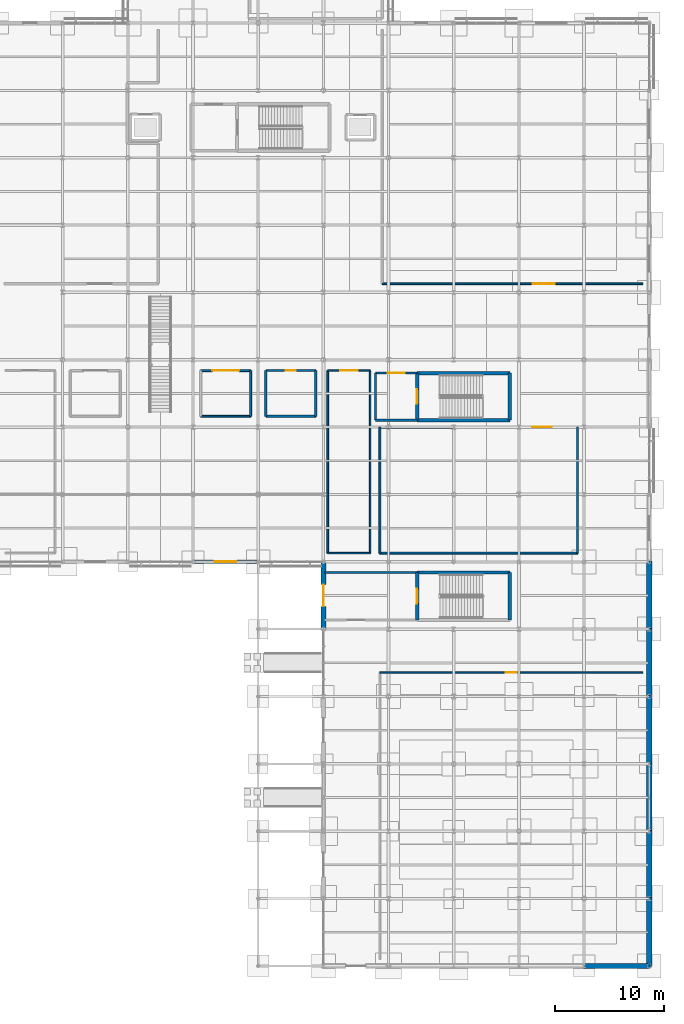
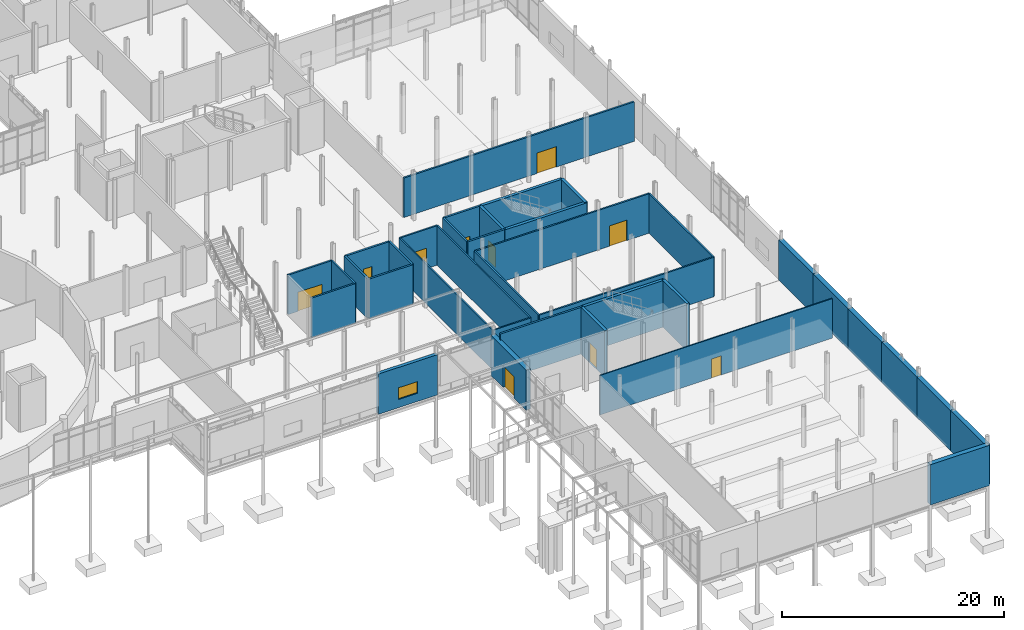
# One storey, part 73 of 98: 37 walls, 10 doors, 1 window, 11 openings.
"""IFC4 building model written with IfcOpenShell, lengths in metres."""

import ifcopenshell
import ifcopenshell.guid

model = None  # the IFC model being written
_history = None  # IfcOwnerHistory: only IFC2X3 demands one
_inside = {}  # id of a spatial element -> (the spatial element, [elements in it])
_under = {}  # id of a project, library or spatial element -> (it, [spatial elements below it])
_declared = {}  # id of a project -> (the project, [libraries it declares])
_typed = {}  # id of a type object -> (the type object, [elements of that type])
_made_of = {}  # id of a material, layer set ... -> (it, [elements and type objects made of it])


def new_model(schema):
    """Start an empty IFC model of exactly this schema.

    Asked for "IFC4X3", IfcOpenShell would pick the latest addendum, in which some entities
    have other attributes; the version numbers below select the first issue.
    IFC2X3 requires an IfcOwnerHistory on every rooted entity: one is made here for all.
    """
    global model, _history
    if schema == "IFC4X3":
        model = ifcopenshell.file(schema_version=(4, 3, 0, 0))
    else:
        model = ifcopenshell.file(schema=schema)
    _inside.clear()
    _under.clear()
    _declared.clear()
    _typed.clear()
    _made_of.clear()
    _history = None
    if model.schema == "IFC2X3":
        org = make("IfcOrganization", Name="unknown")
        user = make(
            "IfcPersonAndOrganization",
            ThePerson=make("IfcPerson", FamilyName="unknown"),
            TheOrganization=org,
        )
        app = make(
            "IfcApplication",
            ApplicationDeveloper=org,
            Version="unknown",
            ApplicationFullName="unknown",
            ApplicationIdentifier="unknown",
        )
        _history = make(
            "IfcOwnerHistory",
            OwningUser=user,
            OwningApplication=app,
            ChangeAction="ADDED",
            CreationDate=0,
        )
    return model


def make(cls, **values):
    """One entity of the class cls with the attributes given. An attribute that is None is left unset."""
    return model.create_entity(
        cls, **{name: value for name, value in values.items() if value is not None}
    )


def rooted(cls, **values):
    """An entity with a GlobalId (a new one), such as an element, a storey or a relation."""
    return make(cls, GlobalId=ifcopenshell.guid.new(), OwnerHistory=_history, **values)


def si_unit(unit_type, name, prefix=None):
    """IfcSIUnit, for example si_unit("LENGTHUNIT", "METRE", prefix="MILLI")."""
    return make("IfcSIUnit", UnitType=unit_type, Prefix=prefix, Name=name)


def assignment(units):
    """IfcUnitAssignment: the units of a project."""
    return None if units is None else make("IfcUnitAssignment", Units=units)


def point(xyz):
    """IfcCartesianPoint."""
    return None if xyz is None else make("IfcCartesianPoint", Coordinates=xyz)


def direction(xyz):
    """IfcDirection."""
    return None if xyz is None else make("IfcDirection", DirectionRatios=xyz)


def frame(location, z_axis=None, x_axis=None):
    """IfcAxis2Placement3D, a coordinate frame: its origin and axes. An axis left out is left unset."""
    return make(
        "IfcAxis2Placement3D",
        Location=point(location),
        Axis=direction(z_axis),
        RefDirection=direction(x_axis),
    )


def frame_2d(location, x_axis=None):
    """IfcAxis2Placement2D, a coordinate frame in the plane: its origin and x axis."""
    return make(
        "IfcAxis2Placement2D", Location=point(location), RefDirection=direction(x_axis)
    )


def origin():
    """The frame at (0, 0, 0) with its axes left unset."""
    return frame((0.0, 0.0, 0.0))


def place(relative_to, where):
    """IfcLocalPlacement: puts the frame where relative to a parent placement (None: the world)."""
    return make(
        "IfcLocalPlacement", PlacementRelTo=relative_to, RelativePlacement=where
    )


def context(
    kind, dimensions, precision=None, world=None, true_north=None, identifier=None
):
    """IfcGeometricRepresentationContext, for example the 3D "Model" context."""
    return make(
        "IfcGeometricRepresentationContext",
        ContextIdentifier=identifier,
        ContextType=kind,
        CoordinateSpaceDimension=dimensions,
        Precision=precision,
        WorldCoordinateSystem=world,
        TrueNorth=true_north,
    )


def subcontext(parent, identifier, kind, view, scale=None):
    """IfcGeometricRepresentationSubContext, for example "Body" below "Model"."""
    return make(
        "IfcGeometricRepresentationSubContext",
        ContextIdentifier=identifier,
        ContextType=kind,
        ParentContext=parent,
        TargetScale=scale,
        TargetView=view,
    )


def project(units=None, contexts=None):
    """IfcProject with its units and contexts."""
    return rooted(
        "IfcProject",
        Name="project",
        RepresentationContexts=contexts,
        UnitsInContext=assignment(units),
    )


def spatial(cls, under=None, at=None, **own):
    """A site, building, storey or space (cls), placed at a placement, below another one or the project."""
    s = rooted(cls, ObjectPlacement=at, **own)
    if under is not None:
        _under.setdefault(under.id(), (under, []))[1].append(s)
    return s


def profile(cls, at=None, kind="AREA", **sizes):
    """A parametric profile (cls). Its sizes go by their IFC names, for example OverallWidth=200.0."""
    return make(cls, ProfileType=kind, Position=at, **sizes)


def rectangle(**sizes):
    """IfcRectangleProfileDef."""
    return profile("IfcRectangleProfileDef", **sizes)


def extrude(swept, where, along, depth):
    """IfcExtrudedAreaSolid: the profile swept, set in the frame where, extruded along a direction by depth."""
    return make(
        "IfcExtrudedAreaSolid",
        SweptArea=swept,
        Position=where,
        ExtrudedDirection=direction(along),
        Depth=depth,
    )


def shape(context_of_items, identifier, shape_type, items):
    """IfcShapeRepresentation: the items that make up one representation, for example the "Body"."""
    return make(
        "IfcShapeRepresentation",
        ContextOfItems=context_of_items,
        RepresentationIdentifier=identifier,
        RepresentationType=shape_type,
        Items=items,
    )


def material(Name=None, Category=None):
    """IfcMaterial."""
    return make("IfcMaterial", Name=Name, Category=Category)


def layer(
    of_material, thickness, ventilated=None, Name=None, Category=None, Priority=None
):
    """IfcMaterialLayer: one layer of a wall or slab, of a material (None: an air gap)."""
    return make(
        "IfcMaterialLayer",
        Material=of_material,
        LayerThickness=thickness,
        IsVentilated=ventilated,
        Name=Name,
        Category=Category,
        Priority=Priority,
    )


def layer_set(layers, Name=None):
    """IfcMaterialLayerSet."""
    return make("IfcMaterialLayerSet", MaterialLayers=layers, LayerSetName=Name)


def made_of(thing, what):
    """Note that an element or type object is made of a material, layer set ...; save() writes the relation."""
    if what is not None:
        _made_of.setdefault(what.id(), (what, []))[1].append(thing)
    return thing


def type_object(cls, material=None, **own):
    """A type object (cls), such as IfcWallType, which elements share."""
    return made_of(rooted(cls, **own), material)


def element(
    cls,
    number,
    at=None,
    inside=None,
    cuts=None,
    type_object=None,
    material=None,
    context=None,
    identifier="Body",
    shape_type=None,
    held_by="IfcProductDefinitionShape",
    body=None,
    shapes=None,
    **own,
):
    """One element of the class cls, such as IfcWall. Its Tag is "e" and its number.

    at: its placement. inside: the storey or other place that contains it. cuts: it is an
    opening in that element (IfcRelVoidsElement). A single representation is given by context,
    identifier, shape_type and body (its items); several are given by shapes. held_by: the class
    of the entity that holds the representations. save() writes the other relations.
    """
    e = rooted(cls, Tag="e%d" % number, ObjectPlacement=at, **own)
    if body is not None:
        shapes = [shape(context, identifier, shape_type, body)]
    if shapes is not None:
        e.Representation = make(held_by, Representations=shapes)
    if inside is not None:
        _inside.setdefault(inside.id(), (inside, []))[1].append(e)
    if cuts is not None:
        rooted(
            "IfcRelVoidsElement", RelatingBuildingElement=cuts, RelatedOpeningElement=e
        )
    if type_object is not None:
        _typed.setdefault(type_object.id(), (type_object, []))[1].append(e)
    return made_of(e, material)


def fill(opening, filler):
    """IfcRelFillsElement: the door or window that sits in an opening."""
    return rooted(
        "IfcRelFillsElement",
        RelatingOpeningElement=opening,
        RelatedBuildingElement=filler,
    )


def aggregate(whole, parts):
    """IfcRelAggregates: a whole, such as a stair, and the parts it consists of."""
    return rooted("IfcRelAggregates", RelatingObject=whole, RelatedObjects=parts)


def save(model, path):
    """Write the relations noted so far, then the file.

    IfcRelAggregates (storeys below a building ...), IfcRelContainedInSpatialStructure (elements
    in a storey), IfcRelDefinesByType, IfcRelAssociatesMaterial and IfcRelDeclares: one each for
    every whole, place, type object, material and project.
    """
    for whole, parts in _under.values():
        aggregate(whole, parts)
    for where, things in _inside.values():
        rooted(
            "IfcRelContainedInSpatialStructure",
            RelatedElements=things,
            RelatingStructure=where,
        )
    for kind, things in _typed.values():
        rooted("IfcRelDefinesByType", RelatedObjects=things, RelatingType=kind)
    for what, things in _made_of.values():
        rooted("IfcRelAssociatesMaterial", RelatedObjects=things, RelatingMaterial=what)
    for by, libraries in _declared.values():
        rooted("IfcRelDeclares", RelatingContext=by, RelatedDefinitions=libraries)
    model.write(path)


model = new_model("IFC4")

# Units and contexts
model_context = context("Model", 3, precision=1e-05, world=origin(), true_north=direction((0.0, 1.0)))
body_context = subcontext(model_context, "Body", "Model", "MODEL_VIEW")
ifc_project = project(units=[si_unit("LENGTHUNIT", "METRE"), si_unit("AREAUNIT", "SQUARE_METRE"), si_unit("VOLUMEUNIT", "CUBIC_METRE"), si_unit("PLANEANGLEUNIT", "RADIAN"), si_unit("MASSUNIT", "GRAM", prefix="KILO")], contexts=[model_context])

# Site, building, storey
site_placement = place(None, origin())
site = spatial("IfcSite", under=ifc_project, at=site_placement, CompositionType="ELEMENT")
building_placement = place(site_placement, origin())
building = spatial("IfcBuilding", under=site, at=building_placement, Name="Mirzam Square Science Centre", CompositionType="ELEMENT")
storey_placement = place(building_placement, origin())
storey = spatial("IfcBuildingStorey", under=building, at=storey_placement, Name="L00", CompositionType="ELEMENT", Elevation=0.0)

# Walls
ifc_material_1 = material(Name="Concrete C45/55", Category="concrete")
ifc_layer_1 = layer(ifc_material_1, 0.300048828125)
ifc_layer_set_1 = layer_set([ifc_layer_1], Name="W-CORE-300")
wall_type_1 = type_object("IfcWallType", Name="W-CORE-300", PredefinedType="SHEAR", material=ifc_layer_set_1)
for number, where, z_axis, x_axis, name in (
    (1, (140.639892578125, 50.239990234375, 0.0), (0.0, 0.0, 1.0), (1.0, 0.0, 0.0), "L00 CORE-5 south wall"),
    (2, (149.159912109375, 54.570068359375, 0.0), (0.0, 0.0, 1.0), (-1.0, 0.0, 0.0), "L00 CORE-5 north wall"),
):
    element("IfcWall", number, at=place(storey_placement, frame(where, z_axis=z_axis, x_axis=x_axis)), inside=storey, type_object=wall_type_1, Name=name, PredefinedType="SHEAR", context=body_context, shape_type="SweptSolid", body=[
        extrude(rectangle(XDim=8.52001953125, YDim=0.300048828125, at=frame_2d((4.260009765625, 0.0))), origin(), (0.0, 0.0, 1.0), 5.14990234375),
    ])

# Wall, opening, door
wall_1_placement = place(storey_placement, frame((140.639892578125, 54.570068359375, 0.0), z_axis=(0.0, 0.0, 1.0), x_axis=(0.0, -1.0, 0.0)))
wall_1 = element("IfcWall", 3, at=wall_1_placement, inside=storey, type_object=wall_type_1, Name="L00 CORE-5 west wall", PredefinedType="SHEAR", context=body_context, shape_type="SweptSolid", body=[
    extrude(rectangle(XDim=4.330078125, YDim=0.300048828125, at=frame_2d((2.1650390625, 0.0))), origin(), (0.0, 0.0, 1.0), 5.14990234375),
])
opening_1_placement = place(wall_1_placement, frame((1.489990234375, 0.0, 0.0)))
opening_1 = element("IfcOpeningElement", 4, at=opening_1_placement, cuts=wall_1, Name="Opening DS-01", PredefinedType="OPENING", context=body_context, shape_type="SweptSolid", body=[
    extrude(rectangle(XDim=1.35009765625, YDim=2.199951171875, at=frame_2d((0.675048828125, 1.10009765625))), frame((0.0, 0.159912109375, 0.0), z_axis=(0.0, -1.0, 0.0), x_axis=(1.0, 0.0, 0.0)), (0.0, 0.0, 1.0), 0.320068359375),
])
ifc_material_2 = material(Name="Fire-Rated Powder-Coated Architectural Steel Door", Category="steel")
door_type_1 = type_object("IfcDoorType", Name="DR-STAIR-1350x2200", OperationType="NOTDEFINED", PredefinedType="DOOR", material=ifc_material_2)
door_1_placement = place(opening_1_placement, origin())
door_1 = element("IfcDoor", 5, at=door_1_placement, inside=storey, type_object=door_type_1, Name="DRS-5-L00", OperationType="SINGLE_SWING_RIGHT", OverallHeight=2.199951171875, OverallWidth=1.35009765625, PredefinedType="DOOR", context=body_context, shape_type="SweptSolid", body=[
    extrude(rectangle(XDim=1.35009765625, YDim=2.199951171875, at=frame_2d((0.675048828125, 1.10009765625))), frame((0.0, 0.02490234375, 0.0), z_axis=(0.0, -1.0, 0.0), x_axis=(1.0, 0.0, 0.0)), (0.0, 0.0, 1.0), 0.050048828125),
])
fill(opening_1, door_1)

# Walls
wall_2_placement = place(storey_placement, frame((149.159912109375, 50.239990234375, 0.0), z_axis=(0.0, 0.0, 1.0), x_axis=(0.0, 1.0, 0.0)))
element("IfcWall", 6, at=wall_2_placement, inside=storey, type_object=wall_type_1, Name="L00 CORE-5 east wall", PredefinedType="SHEAR", context=body_context, shape_type="SweptSolid", body=[
    extrude(rectangle(XDim=4.330078125, YDim=0.300048828125, at=frame_2d((2.1650390625, 0.0))), origin(), (0.0, 0.0, 1.0), 5.14990234375),
])
wall_3_placement = place(storey_placement, frame((149.159912109375, 36.2099609375, 0.0), z_axis=(0.0, 0.0, 1.0), x_axis=(-1.0, 0.0, 0.0)))
element("IfcWall", 7, at=wall_3_placement, inside=storey, type_object=wall_type_1, Name="L00 CORE-6 north wall", PredefinedType="SHEAR", context=body_context, shape_type="SweptSolid", body=[
    extrude(rectangle(XDim=8.52001953125, YDim=0.300048828125, at=frame_2d((4.260009765625, 0.0))), origin(), (0.0, 0.0, 1.0), 5.14990234375),
])

# Wall, opening, door
wall_4_placement = place(storey_placement, frame((140.639892578125, 36.2099609375, 0.0), z_axis=(0.0, 0.0, 1.0), x_axis=(0.0, -1.0, 0.0)))
wall_4 = element("IfcWall", 8, at=wall_4_placement, inside=storey, type_object=wall_type_1, Name="L00 CORE-6 west wall", PredefinedType="SHEAR", context=body_context, shape_type="SweptSolid", body=[
    extrude(rectangle(XDim=4.369873046875, YDim=0.300048828125, at=frame_2d((2.18505859375, 0.0))), origin(), (0.0, 0.0, 1.0), 5.14990234375),
])
opening_2_placement = place(wall_4_placement, frame((1.510009765625, 0.0, 0.0)))
opening_2 = element("IfcOpeningElement", 9, at=opening_2_placement, cuts=wall_4, Name="Opening DS-01", PredefinedType="OPENING", context=body_context, shape_type="SweptSolid", body=[
    extrude(rectangle(XDim=1.35009765625, YDim=2.199951171875, at=frame_2d((0.675048828125, 1.10009765625))), frame((0.0, 0.159912109375, 0.0), z_axis=(0.0, -1.0, 0.0), x_axis=(1.0, 0.0, 0.0)), (0.0, 0.0, 1.0), 0.320068359375),
])
door_2_placement = place(opening_2_placement, origin())
door_2 = element("IfcDoor", 10, at=door_2_placement, inside=storey, type_object=door_type_1, Name="DRS-6-L00", OperationType="SINGLE_SWING_LEFT", OverallHeight=2.199951171875, OverallWidth=1.35009765625, PredefinedType="DOOR", context=body_context, shape_type="SweptSolid", body=[
    extrude(rectangle(XDim=1.35009765625, YDim=2.199951171875, at=frame_2d((0.675048828125, 1.10009765625))), frame((0.0, 0.02490234375, 0.0), z_axis=(0.0, -1.0, 0.0), x_axis=(1.0, 0.0, 0.0)), (0.0, 0.0, 1.0), 0.050048828125),
])
fill(opening_2, door_2)

# Walls
wall_5_placement = place(storey_placement, frame((149.159912109375, 31.840087890625, 0.0), z_axis=(0.0, 0.0, 1.0), x_axis=(0.0, 1.0, 0.0)))
element("IfcWall", 11, at=wall_5_placement, inside=storey, type_object=wall_type_1, Name="L00 CORE-6 east wall", PredefinedType="SHEAR", context=body_context, shape_type="SweptSolid", body=[
    extrude(rectangle(XDim=4.369873046875, YDim=0.300048828125, at=frame_2d((2.18505859375, 0.0))), origin(), (0.0, 0.0, 1.0), 5.14990234375),
])
ifc_material_3 = material(Name="Acoustic Ashlar Limestone Concrete C45/55", Category="masonry")
ifc_layer_2 = layer(ifc_material_3, 0.465087890625)
ifc_layer_set_2 = layer_set([ifc_layer_2], Name="W-EXT-ACOUST-465")
wall_type_2 = type_object("IfcWallType", Name="W-EXT-ACOUST-465", PredefinedType="SOLIDWALL", material=ifc_layer_set_2)
wall_6_placement = place(storey_placement, frame((162.0, -0.074951171875, 0.0), z_axis=(0.0, 0.0, 1.0), x_axis=(0.0, 1.0, 0.0)))
element("IfcWall", 12, at=wall_6_placement, inside=storey, type_object=wall_type_2, Name="L00 external wall EW-TH-E-L00-01", PredefinedType="SOLIDWALL", context=body_context, shape_type="SweptSolid", body=[
    extrude(rectangle(XDim=6.349853515625, YDim=0.465087890625, at=frame_2d((3.1748046875, 0.0))), origin(), (0.0, 0.0, 1.0), 4.43994140625),
])
for number, where, z_axis, x_axis, name in (
    (13, (162.0, 6.125, 0.0), (0.0, 0.0, 1.0), (0.0, 1.0, 0.0), "L00 external wall EW-TH-E-L00-02"),
    (14, (162.0, 12.324951171875, 0.0), (0.0, 0.0, 1.0), (0.0, 1.0, 0.0), "L00 external wall EW-TH-E-L00-03"),
    (15, (162.0, 18.52490234375, 0.0), (0.0, 0.0, 1.0), (0.0, 1.0, 0.0), "L00 external wall EW-TH-E-L00-04"),
):
    element("IfcWall", number, at=place(storey_placement, frame(where, z_axis=z_axis, x_axis=x_axis)), inside=storey, type_object=wall_type_2, Name=name, PredefinedType="SOLIDWALL", context=body_context, shape_type="SweptSolid", body=[
        extrude(rectangle(XDim=6.35009765625, YDim=0.465087890625, at=frame_2d((3.175048828125, 0.0))), origin(), (0.0, 0.0, 1.0), 4.43994140625),
    ])
for number, where, z_axis, x_axis, name in (
    (16, (162.0, 24.72509765625, 0.0), (0.0, 0.0, 1.0), (0.0, 1.0, 0.0), "L00 external wall EW-TH-E-L00-05"),
    (17, (162.0, 30.925048828125, 0.0), (0.0, 0.0, 1.0), (0.0, 1.0, 0.0), "L00 external wall EW-TH-E-L00-06"),
):
    element("IfcWall", number, at=place(storey_placement, frame(where, z_axis=z_axis, x_axis=x_axis)), inside=storey, type_object=wall_type_2, Name=name, PredefinedType="SOLIDWALL", context=body_context, shape_type="SweptSolid", body=[
        extrude(rectangle(XDim=6.349853515625, YDim=0.465087890625, at=frame_2d((3.1748046875, 0.0))), origin(), (0.0, 0.0, 1.0), 4.43994140625),
    ])

# Wall, opening, door
wall_7_placement = place(storey_placement, frame((132.0, 37.27490234375, 0.0), z_axis=(0.0, 0.0, 1.0), x_axis=(0.0, -1.0, 0.0)))
wall_7 = element("IfcWall", 18, at=wall_7_placement, inside=storey, type_object=wall_type_2, Name="L00 external wall EW-TH-W-L00-06", PredefinedType="SOLIDWALL", context=body_context, shape_type="SweptSolid", body=[
    extrude(rectangle(XDim=6.349853515625, YDim=0.465087890625, at=frame_2d((3.1748046875, 0.0))), origin(), (0.0, 0.0, 1.0), 4.43994140625),
])
opening_3_placement = place(wall_7_placement, frame((2.175048828125, 0.0, 0.0)))
opening_3 = element("IfcOpeningElement", 19, at=opening_3_placement, cuts=wall_7, Name="Opening ED-01", PredefinedType="OPENING", context=body_context, shape_type="SweptSolid", body=[
    extrude(rectangle(XDim=2.0, YDim=2.39990234375, at=frame_2d((1.0, 1.199951171875))), frame((0.0, 0.242431640625, 0.0), z_axis=(0.0, -1.0, 0.0), x_axis=(1.0, 0.0, 0.0)), (0.0, 0.0, 1.0), 0.485107421875),
])
ifc_material_4 = material(Name="Thermally Broken Bronze-Anodised Aluminium and Laminated Glass", Category="aluminium")
door_type_2 = type_object("IfcDoorType", Name="DR-EXT-2000x2400", OperationType="DOUBLE_DOOR_SINGLE_SWING", PredefinedType="DOOR", material=ifc_material_4)
door_3_placement = place(opening_3_placement, frame((2.0, 0.0, 0.0), z_axis=(0.0, 0.0, 1.0), x_axis=(-1.0, 0.0, 0.0)))
door_3 = element("IfcDoor", 20, at=door_3_placement, inside=storey, type_object=door_type_2, Name="ED-L00-018", OperationType="DOUBLE_DOOR_SINGLE_SWING", OverallHeight=2.39990234375, OverallWidth=2.0, PredefinedType="DOOR", context=body_context, shape_type="SweptSolid", body=[
    extrude(rectangle(XDim=2.0, YDim=2.39990234375, at=frame_2d((1.0, 1.199951171875))), frame((0.0, 0.02490234375, 0.0), z_axis=(0.0, -1.0, 0.0), x_axis=(1.0, 0.0, 0.0)), (0.0, 0.0, 1.0), 0.050048828125),
])
fill(opening_3, door_3)

# Wall
ifc_layer_3 = layer(ifc_material_3, 0.47998046875)
ifc_layer_set_3 = layer_set([ifc_layer_3], Name="W-EXT-ACOUST-480")
wall_type_3 = type_object("IfcWallType", Name="W-EXT-ACOUST-480", PredefinedType="SOLIDWALL", material=ifc_layer_set_3)
wall_8_placement = place(storey_placement, frame((155.925048828125, 0.0, 0.0), z_axis=(0.0, 0.0, 1.0), x_axis=(1.0, 0.0, 0.0)))
element("IfcWall", 21, at=wall_8_placement, inside=storey, type_object=wall_type_3, Name="L00 external wall EW-TH-S-L00-27", PredefinedType="SOLIDWALL", context=body_context, shape_type="SweptSolid", body=[
    extrude(rectangle(XDim=6.14990234375, YDim=0.47998046875, at=frame_2d((3.074951171875, 0.0))), origin(), (0.0, 0.0, 1.0), 4.43994140625),
])

# Wall, opening, window
ifc_material_5 = material(Name="Insulated Sand-Toned GFRC Concrete C40/50", Category="concrete")
ifc_layer_4 = layer(ifc_material_5, 0.340087890625)
ifc_layer_set_4 = layer_set([ifc_layer_4], Name="W-EXT-GFRC-340")
wall_type_4 = type_object("IfcWallType", Name="W-EXT-GFRC-340", PredefinedType="SOLIDWALL", material=ifc_layer_set_4)
wall_9_placement = place(storey_placement, frame((119.925048828125, 37.199951171875, 0.0), z_axis=(0.0, 0.0, 1.0), x_axis=(1.0, 0.0, 0.0)))
wall_9 = element("IfcWall", 22, at=wall_9_placement, inside=storey, type_object=wall_type_4, Name="L00 external wall EW-EST-S-L00-04", PredefinedType="SOLIDWALL", context=body_context, shape_type="SweptSolid", body=[
    extrude(rectangle(XDim=6.14990234375, YDim=0.340087890625, at=frame_2d((3.074951171875, 0.0))), origin(), (0.0, 0.0, 1.0), 4.43994140625),
])
opening_4_placement = place(wall_9_placement, frame((2.074951171875, 0.0, 0.89990234375)))
opening_4 = element("IfcOpeningElement", 23, at=opening_4_placement, cuts=wall_9, Name="Opening W-07", PredefinedType="OPENING", context=body_context, shape_type="SweptSolid", body=[
    extrude(rectangle(XDim=2.0, YDim=1.300048828125, at=frame_2d((1.0, 0.64990234375))), frame((0.0, 0.179931640625, 0.0), z_axis=(0.0, -1.0, 0.0), x_axis=(1.0, 0.0, 0.0)), (0.0, 0.0, 1.0), 0.360107421875),
])
ifc_material_6 = material(Name="Thermally Broken Bronze Aluminium and Low-E Glass", Category="aluminium")
window_type = type_object("IfcWindowType", Name="WIN-2000x1300", PartitioningType="DOUBLE_PANEL_VERTICAL", PredefinedType="WINDOW", material=ifc_material_6)
window_placement = place(opening_4_placement, origin())
window = element("IfcWindow", 24, at=window_placement, inside=storey, type_object=window_type, Name="L00 solar window 051", OverallHeight=1.300048828125, OverallWidth=2.0, PartitioningType="DOUBLE_PANEL_VERTICAL", PredefinedType="WINDOW", context=body_context, shape_type="SweptSolid", body=[
    extrude(rectangle(XDim=2.0, YDim=1.300048828125, at=frame_2d((1.0, 0.64990234375))), frame((0.0, 0.030029296875, 0.0), z_axis=(0.0, -1.0, 0.0), x_axis=(1.0, 0.0, 0.0)), (0.0, 0.0, 1.0), 0.06005859375),
])
fill(opening_4, window)

# Wall
ifc_layer_5 = layer(ifc_material_1, 0.199951171875)
ifc_layer_set_5 = layer_set([ifc_layer_5], Name="W-LOBBY-200")
wall_type_5 = type_object("IfcWallType", Name="W-LOBBY-200", PredefinedType="SHEAR", material=ifc_layer_set_5)
wall_10_placement = place(storey_placement, frame((136.800048828125, 50.239990234375, 0.0), z_axis=(0.0, 0.0, 1.0), x_axis=(1.0, 0.0, 0.0)))
element("IfcWall", 25, at=wall_10_placement, inside=storey, type_object=wall_type_5, Name="L00 CORE-5 lobby south wall", PredefinedType="SHEAR", context=body_context, shape_type="SweptSolid", body=[
    extrude(rectangle(XDim=3.83984375, YDim=0.199951171875, at=frame_2d((1.919921875, 0.0))), origin(), (0.0, 0.0, 1.0), 5.14990234375),
])

# Wall, opening, door
wall_11_placement = place(storey_placement, frame((140.639892578125, 54.570068359375, 0.0), z_axis=(0.0, 0.0, 1.0), x_axis=(-1.0, 0.0, 0.0)))
wall_11 = element("IfcWall", 26, at=wall_11_placement, inside=storey, type_object=wall_type_5, Name="L00 CORE-5 lobby north wall", PredefinedType="SHEAR", context=body_context, shape_type="SweptSolid", body=[
    extrude(rectangle(XDim=3.83984375, YDim=0.199951171875, at=frame_2d((1.919921875, 0.0))), origin(), (0.0, 0.0, 1.0), 5.14990234375),
])
opening_5_placement = place(wall_11_placement, frame((1.14501953125, 0.0, 0.0)))
opening_5 = element("IfcOpeningElement", 27, at=opening_5_placement, cuts=wall_11, Name="Opening DL-01", PredefinedType="OPENING", context=body_context, shape_type="SweptSolid", body=[
    extrude(rectangle(XDim=1.550048828125, YDim=2.199951171875, at=frame_2d((0.77490234375, 1.10009765625))), frame((0.0, 0.10986328125, 0.0), z_axis=(0.0, -1.0, 0.0), x_axis=(1.0, 0.0, 0.0)), (0.0, 0.0, 1.0), 0.219970703125),
])
ifc_material_7 = material(Name="Fire-Rated Glazed Architectural Steel Lobby Door", Category="steel")
door_type_3 = type_object("IfcDoorType", Name="DR-LOBBY-1550x2200", OperationType="DOUBLE_DOOR_SINGLE_SWING", PredefinedType="DOOR", material=ifc_material_7)
door_4_placement = place(opening_5_placement, origin())
door_4 = element("IfcDoor", 28, at=door_4_placement, inside=storey, type_object=door_type_3, Name="DRL-5-L00", OperationType="SINGLE_SWING_LEFT", OverallHeight=2.199951171875, OverallWidth=1.550048828125, PredefinedType="DOOR", context=body_context, shape_type="SweptSolid", body=[
    extrude(rectangle(XDim=1.550048828125, YDim=2.199951171875, at=frame_2d((0.77490234375, 1.10009765625))), frame((0.0, 0.02490234375, 0.0), z_axis=(0.0, -1.0, 0.0), x_axis=(1.0, 0.0, 0.0)), (0.0, 0.0, 1.0), 0.050048828125),
])
fill(opening_5, door_4)

# Walls
wall_12_placement = place(storey_placement, frame((136.800048828125, 54.570068359375, 0.0), z_axis=(0.0, 0.0, 1.0), x_axis=(0.0, -1.0, 0.0)))
element("IfcWall", 29, at=wall_12_placement, inside=storey, type_object=wall_type_5, Name="L00 CORE-5 lobby west wall", PredefinedType="SHEAR", context=body_context, shape_type="SweptSolid", body=[
    extrude(rectangle(XDim=4.330078125, YDim=0.199951171875, at=frame_2d((2.1650390625, 0.0))), origin(), (0.0, 0.0, 1.0), 5.14990234375),
])
wall_13_placement = place(storey_placement, frame((140.639892578125, 36.2099609375, 0.0), z_axis=(0.0, 0.0, 1.0), x_axis=(-1.0, 0.0, 0.0)))
element("IfcWall", 30, at=wall_13_placement, inside=storey, type_object=wall_type_5, Name="L00 CORE-6 lobby north wall", PredefinedType="SHEAR", context=body_context, shape_type="SweptSolid", body=[
    extrude(rectangle(XDim=8.539794921875, YDim=0.199951171875, at=frame_2d((4.27001953125, 0.0))), origin(), (0.0, 0.0, 1.0), 5.14990234375),
])

# Wall, opening, door
ifc_material_8 = material(Name="Acoustic Gypsum Stud Partition", Category="gypsum")
ifc_layer_6 = layer(ifc_material_8, 0.1201171875)
ifc_layer_set_6 = layer_set([ifc_layer_6], Name="W-PART-120")
wall_type_6 = type_object("IfcWallType", Name="W-PART-120", PredefinedType="PARTITIONING", material=ifc_layer_set_6)
wall_14_placement = place(storey_placement, frame((137.199951171875, 27.0, 0.0), z_axis=(0.0, 0.0, 1.0), x_axis=(1.0, 0.0, 0.0)))
wall_14 = element("IfcWall", 31, at=wall_14_placement, inside=storey, type_object=wall_type_6, Name="L00 Large-Format Theatre Auditorium and Stage partition 100", PredefinedType="PARTITIONING", context=body_context, shape_type="SweptSolid", body=[
    extrude(rectangle(XDim=24.199951171875, YDim=0.1201171875, at=frame_2d((12.10009765625, 0.0))), origin(), (0.0, 0.0, 1.0), 4.35009765625),
])
opening_6_placement = place(wall_14_placement, frame((11.574951171875, 0.0, 0.0)))
opening_6 = element("IfcOpeningElement", 32, at=opening_6_placement, cuts=wall_14, Name="Opening D-04", PredefinedType="OPENING", context=body_context, shape_type="SweptSolid", body=[
    extrude(rectangle(XDim=1.050048828125, YDim=2.10009765625, at=frame_2d((0.52490234375, 1.050048828125))), frame((0.0, 0.070068359375, 0.0), z_axis=(0.0, -1.0, 0.0), x_axis=(1.0, 0.0, 0.0)), (0.0, 0.0, 1.0), 0.14013671875),
])
ifc_material_9 = material(Name="Solid Core Acoustic Oak Timber Door", Category="wood")
door_type_4 = type_object("IfcDoorType", Name="DR-INT-1050x2100", OperationType="NOTDEFINED", PredefinedType="DOOR", material=ifc_material_9)
door_5_placement = place(opening_6_placement, origin())
door_5 = element("IfcDoor", 33, at=door_5_placement, inside=storey, type_object=door_type_4, Name="ID-L00-0027", OperationType="SINGLE_SWING_RIGHT", OverallHeight=2.10009765625, OverallWidth=1.050048828125, PredefinedType="DOOR", context=body_context, shape_type="SweptSolid", body=[
    extrude(rectangle(XDim=1.050048828125, YDim=2.10009765625, at=frame_2d((0.52490234375, 1.050048828125))), frame((0.0, 0.02490234375, 0.0), z_axis=(0.0, -1.0, 0.0), x_axis=(1.0, 0.0, 0.0)), (0.0, 0.0, 1.0), 0.050048828125),
])
fill(opening_6, door_5)

ifc_material_10 = material(Name="Laboratory Acoustic Partition", Category="gypsum")
ifc_layer_7 = layer(ifc_material_10, 0.14990234375)
ifc_layer_set_7 = layer_set([ifc_layer_7], Name="W-PART-150")
wall_type_7 = type_object("IfcWallType", Name="W-PART-150", PredefinedType="PARTITIONING", material=ifc_layer_set_7)
wall_15_placement = place(storey_placement, frame((132.39990234375, 54.800048828125, 0.0), z_axis=(0.0, 0.0, 1.0), x_axis=(1.0, 0.0, 0.0)))
wall_15 = element("IfcWall", 34, at=wall_15_placement, inside=storey, type_object=wall_type_7, Name="L00 Mirzam Science Shop partition 72", PredefinedType="PARTITIONING", context=body_context, shape_type="SweptSolid", body=[
    extrude(rectangle(XDim=3.900146484375, YDim=0.14990234375, at=frame_2d((1.9501953125, 0.0))), origin(), (0.0, 0.0, 1.0), 4.35009765625),
])
opening_7_placement = place(wall_15_placement, frame((1.14990234375, 0.0, 0.0)))
opening_7 = element("IfcOpeningElement", 35, at=opening_7_placement, cuts=wall_15, Name="Opening D-20", PredefinedType="OPENING", context=body_context, shape_type="SweptSolid", body=[
    extrude(rectangle(XDim=1.60009765625, YDim=2.25, at=frame_2d((0.800048828125, 1.125))), frame((0.0, 0.0849609375, 0.0), z_axis=(0.0, -1.0, 0.0), x_axis=(1.0, 0.0, 0.0)), (0.0, 0.0, 1.0), 0.169921875),
])
door_type_5 = type_object("IfcDoorType", Name="DR-INT-1600x2250", OperationType="DOUBLE_DOOR_SINGLE_SWING", PredefinedType="DOOR", material=ifc_material_9)
door_6_placement = place(opening_7_placement, origin())
door_6 = element("IfcDoor", 36, at=door_6_placement, inside=storey, type_object=door_type_5, Name="ID-L00-0019", OperationType="DOUBLE_DOOR_SINGLE_SWING", OverallHeight=2.25, OverallWidth=1.60009765625, PredefinedType="DOOR", context=body_context, shape_type="SweptSolid", body=[
    extrude(rectangle(XDim=1.60009765625, YDim=2.25, at=frame_2d((0.800048828125, 1.125))), frame((0.0, 0.02490234375, 0.0), z_axis=(0.0, -1.0, 0.0), x_axis=(1.0, 0.0, 0.0)), (0.0, 0.0, 1.0), 0.050048828125),
])
fill(opening_7, door_6)

# Walls
wall_16_placement = place(storey_placement, frame((136.300048828125, 54.800048828125, 0.0), z_axis=(0.0, 0.0, 1.0), x_axis=(0.0, -1.0, 0.0)))
element("IfcWall", 37, at=wall_16_placement, inside=storey, type_object=wall_type_7, Name="L00 Mirzam Science Shop partition 73", PredefinedType="PARTITIONING", context=body_context, shape_type="SweptSolid", body=[
    extrude(rectangle(XDim=16.800048828125, YDim=0.14990234375, at=frame_2d((8.39990234375, 0.0))), origin(), (0.0, 0.0, 1.0), 4.35009765625),
])
wall_17_placement = place(storey_placement, frame((136.300048828125, 38.0, 0.0), z_axis=(0.0, 0.0, 1.0), x_axis=(-1.0, 0.0, 0.0)))
element("IfcWall", 38, at=wall_17_placement, inside=storey, type_object=wall_type_7, Name="L00 Mirzam Science Shop partition 74", PredefinedType="PARTITIONING", context=body_context, shape_type="SweptSolid", body=[
    extrude(rectangle(XDim=3.900146484375, YDim=0.14990234375, at=frame_2d((1.9501953125, 0.0))), origin(), (0.0, 0.0, 1.0), 4.35009765625),
])
wall_18_placement = place(storey_placement, frame((132.39990234375, 38.0, 0.0), z_axis=(0.0, 0.0, 1.0), x_axis=(0.0, 1.0, 0.0)))
element("IfcWall", 39, at=wall_18_placement, inside=storey, type_object=wall_type_7, Name="L00 Mirzam Science Shop partition 75", PredefinedType="PARTITIONING", context=body_context, shape_type="SweptSolid", body=[
    extrude(rectangle(XDim=16.800048828125, YDim=0.14990234375, at=frame_2d((8.39990234375, 0.0))), origin(), (0.0, 0.0, 1.0), 4.35009765625),
])

# Wall, opening, door
ifc_material_11 = material(Name="Wet-Area Moisture-Resistant Partition", Category="gypsum")
ifc_layer_8 = layer(ifc_material_11, 0.1650390625)
ifc_layer_set_8 = layer_set([ifc_layer_8], Name="W-PART-165")
wall_type_8 = type_object("IfcWallType", Name="W-PART-165", PredefinedType="PARTITIONING", material=ifc_layer_set_8)
wall_19_placement = place(storey_placement, frame((137.199951171875, 49.60009765625, 0.0), z_axis=(0.0, 0.0, 1.0), x_axis=(1.0, 0.0, 0.0)))
wall_19 = element("IfcWall", 40, at=wall_19_placement, inside=storey, type_object=wall_type_8, Name="L00 Baraha Science Cafe and Kitchen partition 76", PredefinedType="PARTITIONING", context=body_context, shape_type="SweptSolid", body=[
    extrude(rectangle(XDim=18.199951171875, YDim=0.1650390625, at=frame_2d((9.10009765625, 0.0))), origin(), (0.0, 0.0, 1.0), 4.35009765625),
])
opening_8_placement = place(wall_19_placement, frame((14.02392578125, 0.0, 0.0)))
opening_8 = element("IfcOpeningElement", 41, at=opening_8_placement, cuts=wall_19, Name="Opening D-21", PredefinedType="OPENING", context=body_context, shape_type="SweptSolid", body=[
    extrude(rectangle(XDim=1.800048828125, YDim=2.25, at=frame_2d((0.89990234375, 1.125))), frame((0.0, 0.092529296875, 0.0), z_axis=(0.0, -1.0, 0.0), x_axis=(1.0, 0.0, 0.0)), (0.0, 0.0, 1.0), 0.18505859375),
])
ifc_material_12 = material(Name="Powder-Coated Architectural Steel Acoustic Door", Category="steel")
door_type_6 = type_object("IfcDoorType", Name="DR-INT-1800x2250", OperationType="DOUBLE_DOOR_SINGLE_SWING", PredefinedType="DOOR", material=ifc_material_12)
door_7_placement = place(opening_8_placement, origin())
door_7 = element("IfcDoor", 42, at=door_7_placement, inside=storey, type_object=door_type_6, Name="ID-L00-0020", OperationType="DOUBLE_DOOR_SINGLE_SWING", OverallHeight=2.25, OverallWidth=1.800048828125, PredefinedType="DOOR", context=body_context, shape_type="SweptSolid", body=[
    extrude(rectangle(XDim=1.800048828125, YDim=2.25, at=frame_2d((0.89990234375, 1.125))), frame((0.0, 0.02490234375, 0.0), z_axis=(0.0, -1.0, 0.0), x_axis=(1.0, 0.0, 0.0)), (0.0, 0.0, 1.0), 0.050048828125),
])
fill(opening_8, door_7)

# Walls
wall_20_placement = place(storey_placement, frame((155.39990234375, 49.60009765625, 0.0), z_axis=(0.0, 0.0, 1.0), x_axis=(0.0, -1.0, 0.0)))
element("IfcWall", 43, at=wall_20_placement, inside=storey, type_object=wall_type_8, Name="L00 Baraha Science Cafe and Kitchen partition 77", PredefinedType="PARTITIONING", context=body_context, shape_type="SweptSolid", body=[
    extrude(rectangle(XDim=11.60009765625, YDim=0.1650390625, at=frame_2d((5.800048828125, 0.0))), origin(), (0.0, 0.0, 1.0), 4.35009765625),
])
wall_21_placement = place(storey_placement, frame((155.39990234375, 38.0, 0.0), z_axis=(0.0, 0.0, 1.0), x_axis=(-1.0, 0.0, 0.0)))
element("IfcWall", 44, at=wall_21_placement, inside=storey, type_object=wall_type_8, Name="L00 Baraha Science Cafe and Kitchen partition 78", PredefinedType="PARTITIONING", context=body_context, shape_type="SweptSolid", body=[
    extrude(rectangle(XDim=18.199951171875, YDim=0.1650390625, at=frame_2d((9.10009765625, 0.0))), origin(), (0.0, 0.0, 1.0), 4.35009765625),
])
wall_22_placement = place(storey_placement, frame((137.199951171875, 38.0, 0.0), z_axis=(0.0, 0.0, 1.0), x_axis=(0.0, 1.0, 0.0)))
element("IfcWall", 45, at=wall_22_placement, inside=storey, type_object=wall_type_8, Name="L00 Baraha Science Cafe and Kitchen partition 79", PredefinedType="PARTITIONING", context=body_context, shape_type="SweptSolid", body=[
    extrude(rectangle(XDim=11.60009765625, YDim=0.1650390625, at=frame_2d((5.800048828125, 0.0))), origin(), (0.0, 0.0, 1.0), 4.35009765625),
])

# Wall, opening, door
ifc_material_13 = material(Name="Workshop Acoustic Masonry Partition", Category="masonry")
ifc_layer_9 = layer(ifc_material_13, 0.179931640625)
ifc_layer_set_9 = layer_set([ifc_layer_9], Name="W-PART-180")
wall_type_9 = type_object("IfcWallType", Name="W-PART-180", PredefinedType="PARTITIONING", material=ifc_layer_set_9)
wall_23_placement = place(storey_placement, frame((120.699951171875, 54.800048828125, 0.0), z_axis=(0.0, 0.0, 1.0), x_axis=(1.0, 0.0, 0.0)))
wall_23 = element("IfcWall", 46, at=wall_23_placement, inside=storey, type_object=wall_type_9, Name="L00 Female WC L00 partition 45", PredefinedType="PARTITIONING", context=body_context, shape_type="SweptSolid", body=[
    extrude(rectangle(XDim=4.60009765625, YDim=0.179931640625, at=frame_2d((2.300048828125, 0.0))), origin(), (0.0, 0.0, 1.0), 4.35009765625),
])
opening_9_placement = place(wall_23_placement, frame((1.050048828125, 0.0, 0.0)))
opening_9 = element("IfcOpeningElement", 47, at=opening_9_placement, cuts=wall_23, Name="Opening D-12", PredefinedType="OPENING", context=body_context, shape_type="SweptSolid", body=[
    extrude(rectangle(XDim=2.5, YDim=2.10009765625, at=frame_2d((1.25, 1.050048828125))), frame((0.0, 0.099853515625, 0.0), z_axis=(0.0, -1.0, 0.0), x_axis=(1.0, 0.0, 0.0)), (0.0, 0.0, 1.0), 0.199951171875),
])
door_type_7 = type_object("IfcDoorType", Name="DR-INT-2500x2100", OperationType="DOUBLE_DOOR_SINGLE_SWING", PredefinedType="DOOR", material=ifc_material_12)
door_8_placement = place(opening_9_placement, origin())
door_8 = element("IfcDoor", 48, at=door_8_placement, inside=storey, type_object=door_type_7, Name="ID-L00-0011", OperationType="DOUBLE_DOOR_SINGLE_SWING", OverallHeight=2.10009765625, OverallWidth=2.5, PredefinedType="DOOR", context=body_context, shape_type="SweptSolid", body=[
    extrude(rectangle(XDim=2.5, YDim=2.10009765625, at=frame_2d((1.25, 1.050048828125))), frame((0.0, 0.02490234375, 0.0), z_axis=(0.0, -1.0, 0.0), x_axis=(1.0, 0.0, 0.0)), (0.0, 0.0, 1.0), 0.050048828125),
])
fill(opening_9, door_8)

# Walls
wall_24_placement = place(storey_placement, frame((125.300048828125, 54.800048828125, 0.0), z_axis=(0.0, 0.0, 1.0), x_axis=(0.0, -1.0, 0.0)))
element("IfcWall", 49, at=wall_24_placement, inside=storey, type_object=wall_type_9, Name="L00 Female WC L00 partition 46", PredefinedType="PARTITIONING", context=body_context, shape_type="SweptSolid", body=[
    extrude(rectangle(XDim=4.199951171875, YDim=0.179931640625, at=frame_2d((2.10009765625, 0.0))), origin(), (0.0, 0.0, 1.0), 4.35009765625),
])
wall_25_placement = place(storey_placement, frame((125.300048828125, 50.60009765625, 0.0), z_axis=(0.0, 0.0, 1.0), x_axis=(-1.0, 0.0, 0.0)))
element("IfcWall", 50, at=wall_25_placement, inside=storey, type_object=wall_type_9, Name="L00 Female WC L00 partition 47", PredefinedType="PARTITIONING", context=body_context, shape_type="SweptSolid", body=[
    extrude(rectangle(XDim=4.60009765625, YDim=0.179931640625, at=frame_2d((2.300048828125, 0.0))), origin(), (0.0, 0.0, 1.0), 4.35009765625),
])

# Wall, opening, door
wall_26_placement = place(storey_placement, frame((161.39990234375, 62.800048828125, 0.0), z_axis=(0.0, 0.0, 1.0), x_axis=(-1.0, 0.0, 0.0)))
wall_26 = element("IfcWall", 51, at=wall_26_placement, inside=storey, type_object=wall_type_9, Name="L00 School Robotics Workshop 1 partition 80", PredefinedType="PARTITIONING", context=body_context, shape_type="SweptSolid", body=[
    extrude(rectangle(XDim=24.0, YDim=0.179931640625, at=frame_2d((12.0, 0.0))), origin(), (0.0, 0.0, 1.0), 4.35009765625),
])
opening_10_placement = place(wall_26_placement, frame((8.1201171875, 0.0, 0.0)))
opening_10 = element("IfcOpeningElement", 52, at=opening_10_placement, cuts=wall_26, Name="Opening D-22", PredefinedType="OPENING", context=body_context, shape_type="SweptSolid", body=[
    extrude(rectangle(XDim=2.0, YDim=2.25, at=frame_2d((1.0, 1.125))), frame((0.0, 0.099853515625, 0.0), z_axis=(0.0, -1.0, 0.0), x_axis=(1.0, 0.0, 0.0)), (0.0, 0.0, 1.0), 0.199951171875),
])
door_type_8 = type_object("IfcDoorType", Name="DR-INT-2000x2250", OperationType="DOUBLE_DOOR_SINGLE_SWING", PredefinedType="DOOR", material=ifc_material_12)
door_9_placement = place(opening_10_placement, origin())
door_9 = element("IfcDoor", 53, at=door_9_placement, inside=storey, type_object=door_type_8, Name="ID-L00-0021", OperationType="DOUBLE_DOOR_SINGLE_SWING", OverallHeight=2.25, OverallWidth=2.0, PredefinedType="DOOR", context=body_context, shape_type="SweptSolid", body=[
    extrude(rectangle(XDim=2.0, YDim=2.25, at=frame_2d((1.0, 1.125))), frame((0.0, 0.02490234375, 0.0), z_axis=(0.0, -1.0, 0.0), x_axis=(1.0, 0.0, 0.0)), (0.0, 0.0, 1.0), 0.050048828125),
])
fill(opening_10, door_9)

ifc_material_14 = material(Name="Fire-Rated Corridor Blockwork Concrete C30/37", Category="masonry")
ifc_layer_10 = layer(ifc_material_14, 0.199951171875)
ifc_layer_set_10 = layer_set([ifc_layer_10], Name="W-PART-200")
wall_type_10 = type_object("IfcWallType", Name="W-PART-200", PredefinedType="PARTITIONING", material=ifc_layer_set_10)
wall_27_placement = place(storey_placement, frame((126.699951171875, 54.800048828125, 0.0), z_axis=(0.0, 0.0, 1.0), x_axis=(1.0, 0.0, 0.0)))
wall_27 = element("IfcWall", 54, at=wall_27_placement, inside=storey, type_object=wall_type_10, Name="L00 Accessible WC L00 partition 49", PredefinedType="PARTITIONING", context=body_context, shape_type="SweptSolid", body=[
    extrude(rectangle(XDim=4.60009765625, YDim=0.199951171875, at=frame_2d((2.300048828125, 0.0))), origin(), (0.0, 0.0, 1.0), 4.35009765625),
])
opening_11_placement = place(wall_27_placement, frame((1.85009765625, 0.0, 0.0)))
opening_11 = element("IfcOpeningElement", 55, at=opening_11_placement, cuts=wall_27, Name="Opening D-13", PredefinedType="OPENING", context=body_context, shape_type="SweptSolid", body=[
    extrude(rectangle(XDim=0.89990234375, YDim=2.25, at=frame_2d((0.449951171875, 1.125))), frame((0.0, 0.10986328125, 0.0), z_axis=(0.0, -1.0, 0.0), x_axis=(1.0, 0.0, 0.0)), (0.0, 0.0, 1.0), 0.219970703125),
])
door_type_9 = type_object("IfcDoorType", Name="DR-INT-900x2250", OperationType="NOTDEFINED", PredefinedType="DOOR", material=ifc_material_9)
door_10_placement = place(opening_11_placement, origin())
door_10 = element("IfcDoor", 56, at=door_10_placement, inside=storey, type_object=door_type_9, Name="ID-L00-0012", OperationType="SINGLE_SWING_LEFT", OverallHeight=2.25, OverallWidth=0.89990234375, PredefinedType="DOOR", context=body_context, shape_type="SweptSolid", body=[
    extrude(rectangle(XDim=0.89990234375, YDim=2.25, at=frame_2d((0.449951171875, 1.125))), frame((0.0, 0.02490234375, 0.0), z_axis=(0.0, -1.0, 0.0), x_axis=(1.0, 0.0, 0.0)), (0.0, 0.0, 1.0), 0.050048828125),
])
fill(opening_11, door_10)

# Walls
wall_28_placement = place(storey_placement, frame((131.300048828125, 54.800048828125, 0.0), z_axis=(0.0, 0.0, 1.0), x_axis=(0.0, -1.0, 0.0)))
element("IfcWall", 57, at=wall_28_placement, inside=storey, type_object=wall_type_10, Name="L00 Accessible WC L00 partition 50", PredefinedType="PARTITIONING", context=body_context, shape_type="SweptSolid", body=[
    extrude(rectangle(XDim=4.199951171875, YDim=0.199951171875, at=frame_2d((2.10009765625, 0.0))), origin(), (0.0, 0.0, 1.0), 4.35009765625),
])
wall_29_placement = place(storey_placement, frame((131.300048828125, 50.60009765625, 0.0), z_axis=(0.0, 0.0, 1.0), x_axis=(-1.0, 0.0, 0.0)))
element("IfcWall", 58, at=wall_29_placement, inside=storey, type_object=wall_type_10, Name="L00 Accessible WC L00 partition 51", PredefinedType="PARTITIONING", context=body_context, shape_type="SweptSolid", body=[
    extrude(rectangle(XDim=4.60009765625, YDim=0.199951171875, at=frame_2d((2.300048828125, 0.0))), origin(), (0.0, 0.0, 1.0), 4.35009765625),
])
wall_30_placement = place(storey_placement, frame((126.699951171875, 50.60009765625, 0.0), z_axis=(0.0, 0.0, 1.0), x_axis=(0.0, 1.0, 0.0)))
element("IfcWall", 59, at=wall_30_placement, inside=storey, type_object=wall_type_10, Name="L00 Accessible WC L00 partition 52", PredefinedType="PARTITIONING", context=body_context, shape_type="SweptSolid", body=[
    extrude(rectangle(XDim=4.199951171875, YDim=0.199951171875, at=frame_2d((2.10009765625, 0.0))), origin(), (0.0, 0.0, 1.0), 4.35009765625),
])

save(model, "model.ifc")
